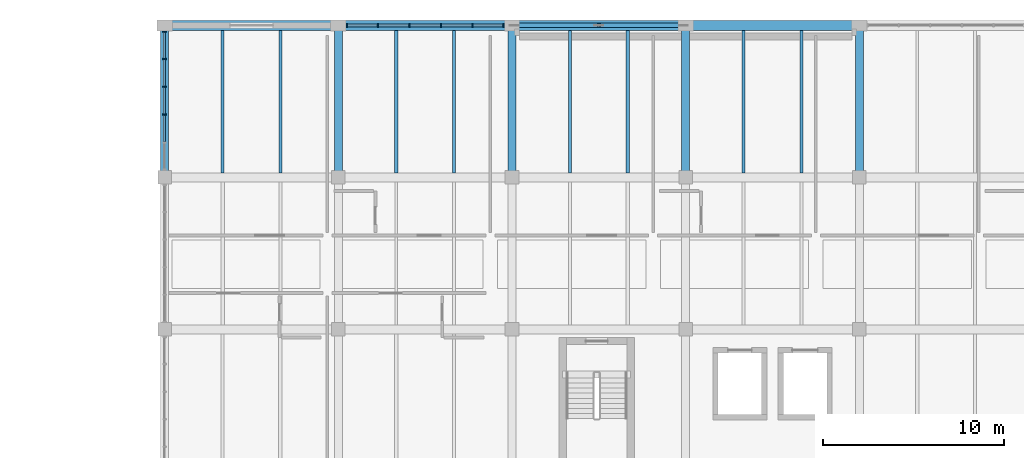
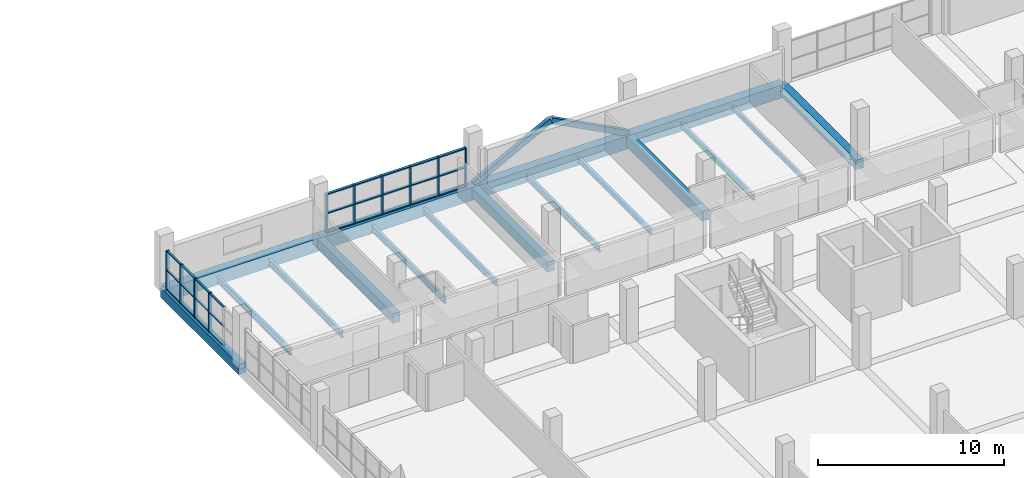
# One storey, part 88 of 147: 39 members, 17 beams, 2 elements without a shape of their own.
"""IFC4 building model written with IfcOpenShell, lengths in metres."""

from ifc_helpers import new_model, si_unit, direction, frame, origin, origin_2d, place, context, subcontext, project, spatial, rectangle, hollow_rectangle, i_section, extrude, material, material_profile, profile_set, type_object, element, aggregate, save


model = new_model("IFC4")

# Units and contexts
model_context = context("Model", 3, precision=1e-05, world=origin(), true_north=direction((0.0, 1.0)))
body_context = subcontext(model_context, "Body", "Model", "MODEL_VIEW")
ifc_project = project(units=[si_unit("LENGTHUNIT", "METRE"), si_unit("AREAUNIT", "SQUARE_METRE"), si_unit("VOLUMEUNIT", "CUBIC_METRE"), si_unit("PLANEANGLEUNIT", "RADIAN"), si_unit("MASSUNIT", "GRAM", prefix="KILO")], contexts=[model_context])

# Site, building, storey
site_placement = place(None, origin())
site = spatial("IfcSite", under=ifc_project, at=site_placement, CompositionType="ELEMENT")
building_placement = place(site_placement, origin())
building = spatial("IfcBuilding", under=site, at=building_placement, Name="Oolite Switchyard Hospital", CompositionType="ELEMENT")
storey_placement = place(building_placement, frame((0.0, 0.0, 9.89990234375)))
storey = spatial("IfcBuildingStorey", under=building, at=storey_placement, Name="L02", CompositionType="ELEMENT", Elevation=9.89990234375)

# Beams
ifc_material_1 = material(Name="Concrete C40/50", Category="concrete")
ifc_material_profile_1 = material_profile(ifc_material_1, rectangle(XDim=0.449951171875, YDim=0.64990234375, at=origin_2d()), Name="RCB450X650")
ifc_profile_set_1 = profile_set([ifc_material_profile_1], Name="Concrete C40/50")
beam_type_1 = type_object("IfcBeamType", Name="BM-RC450X650", PredefinedType="BEAM", material=ifc_profile_set_1)
for number, where, z_axis, x_axis, name in (
    (1, (134.39990234375, 126.0, -0.324951171875), (0.0, 1.0, 0.0), (-1.0, 0.0, 0.0), "L02 Y-Girder 1413"),
    (2, (144.0, 126.0, -0.324951171875), (0.0, 1.0, 0.0), (-1.0, 0.0, 0.0), "L02 Y-Girder 1428"),
    (3, (153.60009765625, 126.0, -0.324951171875), (0.0, 1.0, 0.0), (-1.0, 0.0, 0.0), "L02 Y-Girder 1441"),
    (4, (163.199951171875, 126.0, -0.324951171875), (0.0, 1.0, 0.0), (-1.0, 0.0, 0.0), "L02 Y-Girder 1453"),
    (5, (172.800048828125, 126.0, -0.324951171875), (0.0, 1.0, 0.0), (-1.0, 0.0, 0.0), "L02 Y-Girder 1464"),
):
    element("IfcBeam", number, at=place(storey_placement, frame(where, z_axis=z_axis, x_axis=x_axis)), inside=storey, type_object=beam_type_1, Name=name, PredefinedType="BEAM", context=body_context, shape_type="SweptSolid", body=[
        extrude(rectangle(XDim=0.449951171875, YDim=0.64990234375, at=origin_2d()), origin(), (0.0, 0.0, 1.0), 8.39990234375),
    ])
ifc_material_profile_2 = material_profile(ifc_material_1, rectangle(XDim=0.550048828125, YDim=0.85009765625, at=origin_2d()), Name="RCB550X850")
ifc_profile_set_2 = profile_set([ifc_material_profile_2], Name="Concrete C40/50")
beam_type_2 = type_object("IfcBeamType", Name="BM-RC550X850", PredefinedType="BEAM", material=ifc_profile_set_2)
for number, where, z_axis, x_axis, name in (
    (6, (134.39990234375, 134.39990234375, -0.4248046875), (1.0, 0.0, 0.0), (0.0, 1.0, 0.0), "L02 X-Girder 1242"),
    (7, (144.0, 134.39990234375, -0.4248046875), (1.0, 0.0, 0.0), (0.0, 1.0, 0.0), "L02 X-Girder 1243"),
):
    element("IfcBeam", number, at=place(storey_placement, frame(where, z_axis=z_axis, x_axis=x_axis)), inside=storey, type_object=beam_type_2, Name=name, PredefinedType="BEAM", context=body_context, shape_type="SweptSolid", body=[
        extrude(rectangle(XDim=0.550048828125, YDim=0.85009765625, at=origin_2d()), origin(), (0.0, 0.0, 1.0), 9.60009765625),
    ])
beam_1_placement = place(storey_placement, frame((153.60009765625, 134.39990234375, -0.4248046875), z_axis=(1.0, 0.0, 0.0), x_axis=(0.0, 1.0, 0.0)))
element("IfcBeam", 8, at=beam_1_placement, inside=storey, type_object=beam_type_2, Name="L02 X-Girder 1244", PredefinedType="BEAM", context=body_context, shape_type="SweptSolid", body=[
    extrude(rectangle(XDim=0.550048828125, YDim=0.85009765625, at=origin_2d()), origin(), (0.0, 0.0, 1.0), 9.599853515625),
])
beam_2_placement = place(storey_placement, frame((163.199951171875, 134.39990234375, -0.4248046875), z_axis=(1.0, 0.0, 0.0), x_axis=(0.0, 1.0, 0.0)))
element("IfcBeam", 9, at=beam_2_placement, inside=storey, type_object=beam_type_2, Name="L02 X-Girder 1245", PredefinedType="BEAM", context=body_context, shape_type="SweptSolid", body=[
    extrude(rectangle(XDim=0.550048828125, YDim=0.85009765625, at=origin_2d()), origin(), (0.0, 0.0, 1.0), 9.60009765625),
])
ifc_material_2 = material(Name="Steel ASTM A992 Grade 50", Category="steel")
ifc_material_profile_3 = material_profile(ifc_material_2, i_section(OverallWidth=0.1650390625, OverallDepth=0.31005859375, WebThickness=0.006103515625, FlangeThickness=0.010009765625, at=origin_2d()), Name="W12X26")
ifc_profile_set_3 = profile_set([ifc_material_profile_3], Name="Steel ASTM A992 Grade 50")
beam_type_3 = type_object("IfcBeamType", Name="BM-W12X26", PredefinedType="JOIST", material=ifc_profile_set_3)
beam_3_placement = place(storey_placement, frame((169.60009765625, 126.25, -0.414794921875), z_axis=(0.0, 1.0, 0.0), x_axis=(-1.0, 0.0, 0.0)))
element("IfcBeam", 10, at=beam_3_placement, inside=storey, type_object=beam_type_3, Name="L02 Secondary Steel Joist 1851", PredefinedType="JOIST", context=body_context, shape_type="SweptSolid", body=[
    extrude(i_section(OverallWidth=0.1650390625, OverallDepth=0.31005859375, WebThickness=0.006103515625, FlangeThickness=0.010009765625, at=origin_2d()), origin(), (0.0, 0.0, 1.0), 7.875),
])
ifc_material_profile_4 = material_profile(ifc_material_2, i_section(OverallWidth=0.1708984375, OverallDepth=0.35107421875, WebThickness=0.007080078125, FlangeThickness=0.010009765625, at=origin_2d()), Name="W14X30")
ifc_profile_set_4 = profile_set([ifc_material_profile_4], Name="Steel ASTM A992 Grade 50")
beam_type_4 = type_object("IfcBeamType", Name="BM-W14X30", PredefinedType="JOIST", material=ifc_profile_set_4)
for number, where, z_axis, x_axis, name in (
    (11, (160.0, 126.25, -0.434814453125), (0.0, 1.0, 0.0), (-1.0, 0.0, 0.0), "L02 Secondary Steel Joist 1831"),
    (12, (166.39990234375, 126.25, -0.434814453125), (0.0, 1.0, 0.0), (-1.0, 0.0, 0.0), "L02 Secondary Steel Joist 1850"),
):
    element("IfcBeam", number, at=place(storey_placement, frame(where, z_axis=z_axis, x_axis=x_axis)), inside=storey, type_object=beam_type_4, Name=name, PredefinedType="JOIST", context=body_context, shape_type="SweptSolid", body=[
        extrude(i_section(OverallWidth=0.1708984375, OverallDepth=0.35107421875, WebThickness=0.007080078125, FlangeThickness=0.010009765625, at=origin_2d()), origin(), (0.0, 0.0, 1.0), 7.875),
    ])
ifc_material_profile_5 = material_profile(ifc_material_2, i_section(OverallWidth=0.177978515625, OverallDepth=0.403076171875, WebThickness=0.008056640625, FlangeThickness=0.010986328125, at=origin_2d()), Name="W16X36")
ifc_profile_set_5 = profile_set([ifc_material_profile_5], Name="Steel ASTM A992 Grade 50")
beam_type_5 = type_object("IfcBeamType", Name="BM-W16X36", PredefinedType="JOIST", material=ifc_profile_set_5)
for number, where, z_axis, x_axis, name in (
    (13, (150.39990234375, 126.25, -0.4609375), (0.0, 1.0, 0.0), (-1.0, 0.0, 0.0), "L02 Secondary Steel Joist 1811"),
    (14, (156.800048828125, 126.25, -0.4609375), (0.0, 1.0, 0.0), (-1.0, 0.0, 0.0), "L02 Secondary Steel Joist 1830"),
):
    element("IfcBeam", number, at=place(storey_placement, frame(where, z_axis=z_axis, x_axis=x_axis)), inside=storey, type_object=beam_type_5, Name=name, PredefinedType="JOIST", context=body_context, shape_type="SweptSolid", body=[
        extrude(i_section(OverallWidth=0.177978515625, OverallDepth=0.403076171875, WebThickness=0.008056640625, FlangeThickness=0.010986328125, at=origin_2d()), origin(), (0.0, 0.0, 1.0), 7.875),
    ])
ifc_material_profile_6 = material_profile(ifc_material_2, i_section(OverallWidth=0.179931640625, OverallDepth=0.4130859375, WebThickness=0.010009765625, FlangeThickness=0.01611328125, at=origin_2d()), Name="W16X50")
ifc_profile_set_6 = profile_set([ifc_material_profile_6], Name="Steel ASTM A992 Grade 50")
beam_type_6 = type_object("IfcBeamType", Name="BM-W16X50", PredefinedType="JOIST", material=ifc_profile_set_6)
for number, where, z_axis, x_axis, name in (
    (15, (140.800048828125, 126.25, -0.4658203125), (0.0, 1.0, 0.0), (-1.0, 0.0, 0.0), "L02 Secondary Steel Joist 1791"),
    (16, (147.199951171875, 126.25, -0.4658203125), (0.0, 1.0, 0.0), (-1.0, 0.0, 0.0), "L02 Secondary Steel Joist 1810"),
):
    element("IfcBeam", number, at=place(storey_placement, frame(where, z_axis=z_axis, x_axis=x_axis)), inside=storey, type_object=beam_type_6, Name=name, PredefinedType="JOIST", context=body_context, shape_type="SweptSolid", body=[
        extrude(i_section(OverallWidth=0.179931640625, OverallDepth=0.4130859375, WebThickness=0.010009765625, FlangeThickness=0.01611328125, at=origin_2d()), origin(), (0.0, 0.0, 1.0), 7.875),
    ])
ifc_material_profile_7 = material_profile(ifc_material_2, i_section(OverallWidth=0.153076171875, OverallDepth=0.455078125, WebThickness=0.008056640625, FlangeThickness=0.012939453125, at=origin_2d()), Name="W18X40")
ifc_profile_set_7 = profile_set([ifc_material_profile_7], Name="Steel ASTM A992 Grade 50")
beam_type_7 = type_object("IfcBeamType", Name="BM-W18X40", PredefinedType="JOIST", material=ifc_profile_set_7)
beam_4_placement = place(storey_placement, frame((137.60009765625, 126.25, -0.48681640625), z_axis=(0.0, 1.0, 0.0), x_axis=(-1.0, 0.0, 0.0)))
element("IfcBeam", 17, at=beam_4_placement, inside=storey, type_object=beam_type_7, Name="L02 Secondary Steel Joist 1790", PredefinedType="JOIST", context=body_context, shape_type="SweptSolid", body=[
    extrude(i_section(OverallWidth=0.153076171875, OverallDepth=0.455078125, WebThickness=0.008056640625, FlangeThickness=0.012939453125, at=origin_2d()), origin(), (0.0, 0.0, 1.0), 7.875),
])

# Curtain wall, members
ifc_material_3 = material(Name="Thermally broken aluminum frame with laminated impact glazing", Category="aluminium")
curtain_wall_type_1 = type_object("IfcCurtainWallType", Name="CW-UNIT-96X36", PredefinedType="USERDEFINED", material=ifc_material_3)
curtain_wall_1_placement = place(storey_placement, origin())
curtain_wall_1 = element("IfcCurtainWall", 18, at=curtain_wall_1_placement, inside=storey, type_object=curtain_wall_type_1, Name="L02 Unitised Curtain Wall 273", ObjectType="UNITISED", PredefinedType="USERDEFINED")
ifc_material_4 = material(Name="Aluminium 6063-T6", Category="aluminium")
ifc_material_profile_8 = material_profile(ifc_material_4, rectangle(XDim=0.199951171875, YDim=0.074951171875, at=origin_2d()), Name="CWM75X200")
ifc_profile_set_8 = profile_set([ifc_material_profile_8], Name="Aluminium 6063-T6")
member_type_1 = type_object("IfcMemberType", Name="CW-MUL-260", PredefinedType="MULLION", material=ifc_profile_set_8)
member_1_placement = place(storey_placement, frame((144.4775390625, 134.39990234375, 0.0), z_axis=(0.0, 0.0, 1.0), x_axis=(0.0, 1.0, 0.0)))
member_1 = element("IfcMember", 19, at=member_1_placement, type_object=member_type_1, Name="CW-03 mullion 1", PredefinedType="MULLION", context=body_context, shape_type="SweptSolid", body=[
    extrude(rectangle(XDim=0.199951171875, YDim=0.074951171875, at=origin_2d()), origin(), (0.0, 0.0, 1.0), 2.570068359375),
])
member_2_placement = place(storey_placement, frame((146.18408203125, 134.39990234375, 0.0), z_axis=(0.0, 0.0, 1.0), x_axis=(0.0, 1.0, 0.0)))
member_2 = element("IfcMember", 20, at=member_2_placement, type_object=member_type_1, Name="CW-03 mullion 2", PredefinedType="MULLION", context=body_context, shape_type="SweptSolid", body=[
    extrude(rectangle(XDim=0.199951171875, YDim=0.074951171875, at=origin_2d()), origin(), (0.0, 0.0, 1.0), 2.570068359375),
])
member_3_placement = place(storey_placement, frame((147.927978515625, 134.39990234375, 0.0), z_axis=(0.0, 0.0, 1.0), x_axis=(0.0, 1.0, 0.0)))
member_3 = element("IfcMember", 21, at=member_3_placement, type_object=member_type_1, Name="CW-03 mullion 3", PredefinedType="MULLION", context=body_context, shape_type="SweptSolid", body=[
    extrude(rectangle(XDim=0.199951171875, YDim=0.074951171875, at=origin_2d()), origin(), (0.0, 0.0, 1.0), 2.570068359375),
])
member_4_placement = place(storey_placement, frame((149.672119140625, 134.39990234375, 0.0), z_axis=(0.0, 0.0, 1.0), x_axis=(0.0, 1.0, 0.0)))
member_4 = element("IfcMember", 22, at=member_4_placement, type_object=member_type_1, Name="CW-03 mullion 4", PredefinedType="MULLION", context=body_context, shape_type="SweptSolid", body=[
    extrude(rectangle(XDim=0.199951171875, YDim=0.074951171875, at=origin_2d()), origin(), (0.0, 0.0, 1.0), 2.570068359375),
])
member_5_placement = place(storey_placement, frame((151.416015625, 134.39990234375, 0.0), z_axis=(0.0, 0.0, 1.0), x_axis=(0.0, 1.0, 0.0)))
member_5 = element("IfcMember", 23, at=member_5_placement, type_object=member_type_1, Name="CW-03 mullion 5", PredefinedType="MULLION", context=body_context, shape_type="SweptSolid", body=[
    extrude(rectangle(XDim=0.199951171875, YDim=0.074951171875, at=origin_2d()), origin(), (0.0, 0.0, 1.0), 2.570068359375),
])
member_6_placement = place(storey_placement, frame((153.12255859375, 134.39990234375, 0.0), z_axis=(0.0, 0.0, 1.0), x_axis=(0.0, 1.0, 0.0)))
member_6 = element("IfcMember", 24, at=member_6_placement, type_object=member_type_1, Name="CW-03 mullion 6", PredefinedType="MULLION", context=body_context, shape_type="SweptSolid", body=[
    extrude(rectangle(XDim=0.199951171875, YDim=0.074951171875, at=origin_2d()), origin(), (0.0, 0.0, 1.0), 2.570068359375),
])

curtain_wall_type_2 = type_object("IfcCurtainWallType", Name="CW-UNIT-84X36", PredefinedType="USERDEFINED", material=ifc_material_3)
curtain_wall_2_placement = place(storey_placement, origin())
curtain_wall_2 = element("IfcCurtainWall", 25, at=curtain_wall_2_placement, inside=storey, type_object=curtain_wall_type_2, Name="L02 Unitised Curtain Wall 300", ObjectType="UNITISED", PredefinedType="USERDEFINED")
member_7_placement = place(storey_placement, frame((134.39990234375, 129.468017578125, 0.0), z_axis=(0.0, 0.0, 1.0), x_axis=(-1.0, 0.0, 0.0)))
member_7 = element("IfcMember", 26, at=member_7_placement, type_object=member_type_1, Name="CW-08 mullion 3", PredefinedType="MULLION", context=body_context, shape_type="SweptSolid", body=[
    extrude(rectangle(XDim=0.199951171875, YDim=0.074951171875, at=origin_2d()), origin(), (0.0, 0.0, 1.0), 2.570068359375),
])
member_8_placement = place(storey_placement, frame((134.39990234375, 131.007080078125, 0.0), z_axis=(0.0, 0.0, 1.0), x_axis=(-1.0, 0.0, 0.0)))
member_8 = element("IfcMember", 27, at=member_8_placement, type_object=member_type_1, Name="CW-08 mullion 4", PredefinedType="MULLION", context=body_context, shape_type="SweptSolid", body=[
    extrude(rectangle(XDim=0.199951171875, YDim=0.074951171875, at=origin_2d()), origin(), (0.0, 0.0, 1.0), 2.570068359375),
])
member_9_placement = place(storey_placement, frame((134.39990234375, 132.5458984375, 0.0), z_axis=(0.0, 0.0, 1.0), x_axis=(-1.0, 0.0, 0.0)))
member_9 = element("IfcMember", 28, at=member_9_placement, type_object=member_type_1, Name="CW-08 mullion 5", PredefinedType="MULLION", context=body_context, shape_type="SweptSolid", body=[
    extrude(rectangle(XDim=0.199951171875, YDim=0.074951171875, at=origin_2d()), origin(), (0.0, 0.0, 1.0), 2.570068359375),
])
member_10_placement = place(storey_placement, frame((134.39990234375, 134.047607421875, 0.0), z_axis=(0.0, 0.0, 1.0), x_axis=(-1.0, 0.0, 0.0)))
member_10 = element("IfcMember", 29, at=member_10_placement, type_object=member_type_1, Name="CW-08 mullion 6", PredefinedType="MULLION", context=body_context, shape_type="SweptSolid", body=[
    extrude(rectangle(XDim=0.199951171875, YDim=0.074951171875, at=origin_2d()), origin(), (0.0, 0.0, 1.0), 2.570068359375),
])
ifc_material_profile_9 = material_profile(ifc_material_4, rectangle(XDim=0.1201171875, YDim=0.06005859375, at=origin_2d()), Name="CWT60X120")
ifc_profile_set_9 = profile_set([ifc_material_profile_9], Name="Aluminium 6063-T6")
member_type_2 = type_object("IfcMemberType", Name="CW-TRN-150", PredefinedType="USERDEFINED", material=ifc_profile_set_9)
member_11_placement = place(storey_placement, frame((134.39990234375, 127.966552734375, 0.030029296875), z_axis=(0.0, 1.0, 0.0), x_axis=(-1.0, 0.0, 0.0)))
member_11 = element("IfcMember", 30, at=member_11_placement, type_object=member_type_2, Name="CW-08 transom 2.1", ObjectType="TRANSOM", PredefinedType="USERDEFINED", context=body_context, shape_type="SweptSolid", body=[
    extrude(rectangle(XDim=0.1201171875, YDim=0.06005859375, at=origin_2d()), origin(), (0.0, 0.0, 1.0), 1.4638671875),
])
member_12_placement = place(storey_placement, frame((134.39990234375, 127.966552734375, 1.28515625), z_axis=(0.0, 1.0, 0.0), x_axis=(-1.0, 0.0, 0.0)))
member_12 = element("IfcMember", 31, at=member_12_placement, type_object=member_type_2, Name="CW-08 transom 2.2", ObjectType="TRANSOM", PredefinedType="USERDEFINED", context=body_context, shape_type="SweptSolid", body=[
    extrude(rectangle(XDim=0.1201171875, YDim=0.06005859375, at=origin_2d()), origin(), (0.0, 0.0, 1.0), 1.4638671875),
])
member_13_placement = place(storey_placement, frame((134.39990234375, 127.966552734375, 2.5400390625), z_axis=(0.0, 1.0, 0.0), x_axis=(-1.0, 0.0, 0.0)))
member_13 = element("IfcMember", 32, at=member_13_placement, type_object=member_type_2, Name="CW-08 transom 2.3", ObjectType="TRANSOM", PredefinedType="USERDEFINED", context=body_context, shape_type="SweptSolid", body=[
    extrude(rectangle(XDim=0.1201171875, YDim=0.06005859375, at=origin_2d()), origin(), (0.0, 0.0, 1.0), 1.4638671875),
])
member_14_placement = place(storey_placement, frame((134.39990234375, 129.505615234375, 0.030029296875), z_axis=(0.0, 1.0, 0.0), x_axis=(-1.0, 0.0, 0.0)))
member_14 = element("IfcMember", 33, at=member_14_placement, type_object=member_type_2, Name="CW-08 transom 3.1", ObjectType="TRANSOM", PredefinedType="USERDEFINED", context=body_context, shape_type="SweptSolid", body=[
    extrude(rectangle(XDim=0.1201171875, YDim=0.06005859375, at=origin_2d()), origin(), (0.0, 0.0, 1.0), 1.4638671875),
])
member_15_placement = place(storey_placement, frame((134.39990234375, 129.505615234375, 1.28515625), z_axis=(0.0, 1.0, 0.0), x_axis=(-1.0, 0.0, 0.0)))
member_15 = element("IfcMember", 34, at=member_15_placement, type_object=member_type_2, Name="CW-08 transom 3.2", ObjectType="TRANSOM", PredefinedType="USERDEFINED", context=body_context, shape_type="SweptSolid", body=[
    extrude(rectangle(XDim=0.1201171875, YDim=0.06005859375, at=origin_2d()), origin(), (0.0, 0.0, 1.0), 1.4638671875),
])
member_16_placement = place(storey_placement, frame((134.39990234375, 129.505615234375, 2.5400390625), z_axis=(0.0, 1.0, 0.0), x_axis=(-1.0, 0.0, 0.0)))
member_16 = element("IfcMember", 35, at=member_16_placement, type_object=member_type_2, Name="CW-08 transom 3.3", ObjectType="TRANSOM", PredefinedType="USERDEFINED", context=body_context, shape_type="SweptSolid", body=[
    extrude(rectangle(XDim=0.1201171875, YDim=0.06005859375, at=origin_2d()), origin(), (0.0, 0.0, 1.0), 1.4638671875),
])
member_17_placement = place(storey_placement, frame((134.39990234375, 131.04443359375, 0.030029296875), z_axis=(0.0, 1.0, 0.0), x_axis=(-1.0, 0.0, 0.0)))
member_17 = element("IfcMember", 36, at=member_17_placement, type_object=member_type_2, Name="CW-08 transom 4.1", ObjectType="TRANSOM", PredefinedType="USERDEFINED", context=body_context, shape_type="SweptSolid", body=[
    extrude(rectangle(XDim=0.1201171875, YDim=0.06005859375, at=origin_2d()), origin(), (0.0, 0.0, 1.0), 1.464111328125),
])
member_18_placement = place(storey_placement, frame((134.39990234375, 131.04443359375, 1.28515625), z_axis=(0.0, 1.0, 0.0), x_axis=(-1.0, 0.0, 0.0)))
member_18 = element("IfcMember", 37, at=member_18_placement, type_object=member_type_2, Name="CW-08 transom 4.2", ObjectType="TRANSOM", PredefinedType="USERDEFINED", context=body_context, shape_type="SweptSolid", body=[
    extrude(rectangle(XDim=0.1201171875, YDim=0.06005859375, at=origin_2d()), origin(), (0.0, 0.0, 1.0), 1.464111328125),
])
member_19_placement = place(storey_placement, frame((134.39990234375, 131.04443359375, 2.5400390625), z_axis=(0.0, 1.0, 0.0), x_axis=(-1.0, 0.0, 0.0)))
member_19 = element("IfcMember", 38, at=member_19_placement, type_object=member_type_2, Name="CW-08 transom 4.3", ObjectType="TRANSOM", PredefinedType="USERDEFINED", context=body_context, shape_type="SweptSolid", body=[
    extrude(rectangle(XDim=0.1201171875, YDim=0.06005859375, at=origin_2d()), origin(), (0.0, 0.0, 1.0), 1.464111328125),
])
member_20_placement = place(storey_placement, frame((134.39990234375, 132.58349609375, 0.030029296875), z_axis=(0.0, 1.0, 0.0), x_axis=(-1.0, 0.0, 0.0)))
member_20 = element("IfcMember", 39, at=member_20_placement, type_object=member_type_2, Name="CW-08 transom 5.1", ObjectType="TRANSOM", PredefinedType="USERDEFINED", context=body_context, shape_type="SweptSolid", body=[
    extrude(rectangle(XDim=0.1201171875, YDim=0.06005859375, at=origin_2d()), origin(), (0.0, 0.0, 1.0), 1.426513671875),
])
member_21_placement = place(storey_placement, frame((134.39990234375, 132.58349609375, 1.28515625), z_axis=(0.0, 1.0, 0.0), x_axis=(-1.0, 0.0, 0.0)))
member_21 = element("IfcMember", 40, at=member_21_placement, type_object=member_type_2, Name="CW-08 transom 5.2", ObjectType="TRANSOM", PredefinedType="USERDEFINED", context=body_context, shape_type="SweptSolid", body=[
    extrude(rectangle(XDim=0.1201171875, YDim=0.06005859375, at=origin_2d()), origin(), (0.0, 0.0, 1.0), 1.426513671875),
])
member_22_placement = place(storey_placement, frame((134.39990234375, 132.58349609375, 2.5400390625), z_axis=(0.0, 1.0, 0.0), x_axis=(-1.0, 0.0, 0.0)))
member_22 = element("IfcMember", 41, at=member_22_placement, type_object=member_type_2, Name="CW-08 transom 5.3", ObjectType="TRANSOM", PredefinedType="USERDEFINED", context=body_context, shape_type="SweptSolid", body=[
    extrude(rectangle(XDim=0.1201171875, YDim=0.06005859375, at=origin_2d()), origin(), (0.0, 0.0, 1.0), 1.426513671875),
])
aggregate(curtain_wall_2, [member_7, member_8, member_9, member_10, member_11, member_12, member_13, member_14, member_15, member_16, member_17, member_18, member_19, member_20, member_21, member_22])

# Member
ifc_material_profile_10 = material_profile(ifc_material_4, rectangle(XDim=0.159912109375, YDim=0.074951171875, at=origin_2d()), Name="CWT75X160")
ifc_profile_set_10 = profile_set([ifc_material_profile_10], Name="Aluminium 6063-T6")
member_type_3 = type_object("IfcMemberType", Name="CW-TRN-180", PredefinedType="USERDEFINED", material=ifc_profile_set_10)
member_23_placement = place(storey_placement, frame((144.514892578125, 134.39990234375, 0.03759765625), z_axis=(1.0, 0.0, 0.0), x_axis=(0.0, 1.0, 0.0)))
member_23 = element("IfcMember", 42, at=member_23_placement, type_object=member_type_3, Name="CW-03 transom 1.1", ObjectType="TRANSOM", PredefinedType="USERDEFINED", context=body_context, shape_type="SweptSolid", body=[
    extrude(rectangle(XDim=0.159912109375, YDim=0.074951171875, at=origin_2d()), origin(), (0.0, 0.0, 1.0), 1.631591796875),
])

member_24_placement = place(storey_placement, frame((144.514892578125, 134.39990234375, 1.28515625), z_axis=(1.0, 0.0, 0.0), x_axis=(0.0, 1.0, 0.0)))
member_24 = element("IfcMember", 43, at=member_24_placement, type_object=member_type_3, Name="CW-03 transom 1.2", ObjectType="TRANSOM", PredefinedType="USERDEFINED", context=body_context, shape_type="SweptSolid", body=[
    extrude(rectangle(XDim=0.159912109375, YDim=0.074951171875, at=origin_2d()), origin(), (0.0, 0.0, 1.0), 1.631591796875),
])

member_25_placement = place(storey_placement, frame((144.514892578125, 134.39990234375, 2.53271484375), z_axis=(1.0, 0.0, 0.0), x_axis=(0.0, 1.0, 0.0)))
member_25 = element("IfcMember", 44, at=member_25_placement, type_object=member_type_3, Name="CW-03 transom 1.3", ObjectType="TRANSOM", PredefinedType="USERDEFINED", context=body_context, shape_type="SweptSolid", body=[
    extrude(rectangle(XDim=0.159912109375, YDim=0.074951171875, at=origin_2d()), origin(), (0.0, 0.0, 1.0), 1.631591796875),
])

member_26_placement = place(storey_placement, frame((146.221435546875, 134.39990234375, 0.03759765625), z_axis=(1.0, 0.0, 0.0), x_axis=(0.0, 1.0, 0.0)))
member_26 = element("IfcMember", 45, at=member_26_placement, type_object=member_type_3, Name="CW-03 transom 2.1", ObjectType="TRANSOM", PredefinedType="USERDEFINED", context=body_context, shape_type="SweptSolid", body=[
    extrude(rectangle(XDim=0.159912109375, YDim=0.074951171875, at=origin_2d()), origin(), (0.0, 0.0, 1.0), 1.6689453125),
])

member_27_placement = place(storey_placement, frame((146.221435546875, 134.39990234375, 1.28515625), z_axis=(1.0, 0.0, 0.0), x_axis=(0.0, 1.0, 0.0)))
member_27 = element("IfcMember", 46, at=member_27_placement, type_object=member_type_3, Name="CW-03 transom 2.2", ObjectType="TRANSOM", PredefinedType="USERDEFINED", context=body_context, shape_type="SweptSolid", body=[
    extrude(rectangle(XDim=0.159912109375, YDim=0.074951171875, at=origin_2d()), origin(), (0.0, 0.0, 1.0), 1.6689453125),
])

member_28_placement = place(storey_placement, frame((146.221435546875, 134.39990234375, 2.53271484375), z_axis=(1.0, 0.0, 0.0), x_axis=(0.0, 1.0, 0.0)))
member_28 = element("IfcMember", 47, at=member_28_placement, type_object=member_type_3, Name="CW-03 transom 2.3", ObjectType="TRANSOM", PredefinedType="USERDEFINED", context=body_context, shape_type="SweptSolid", body=[
    extrude(rectangle(XDim=0.159912109375, YDim=0.074951171875, at=origin_2d()), origin(), (0.0, 0.0, 1.0), 1.6689453125),
])

member_29_placement = place(storey_placement, frame((147.965576171875, 134.39990234375, 0.03759765625), z_axis=(1.0, 0.0, 0.0), x_axis=(0.0, 1.0, 0.0)))
member_29 = element("IfcMember", 48, at=member_29_placement, type_object=member_type_3, Name="CW-03 transom 3.1", ObjectType="TRANSOM", PredefinedType="USERDEFINED", context=body_context, shape_type="SweptSolid", body=[
    extrude(rectangle(XDim=0.159912109375, YDim=0.074951171875, at=origin_2d()), origin(), (0.0, 0.0, 1.0), 1.6689453125),
])

member_30_placement = place(storey_placement, frame((147.965576171875, 134.39990234375, 1.28515625), z_axis=(1.0, 0.0, 0.0), x_axis=(0.0, 1.0, 0.0)))
member_30 = element("IfcMember", 49, at=member_30_placement, type_object=member_type_3, Name="CW-03 transom 3.2", ObjectType="TRANSOM", PredefinedType="USERDEFINED", context=body_context, shape_type="SweptSolid", body=[
    extrude(rectangle(XDim=0.159912109375, YDim=0.074951171875, at=origin_2d()), origin(), (0.0, 0.0, 1.0), 1.6689453125),
])

member_31_placement = place(storey_placement, frame((147.965576171875, 134.39990234375, 2.53271484375), z_axis=(1.0, 0.0, 0.0), x_axis=(0.0, 1.0, 0.0)))
member_31 = element("IfcMember", 50, at=member_31_placement, type_object=member_type_3, Name="CW-03 transom 3.3", ObjectType="TRANSOM", PredefinedType="USERDEFINED", context=body_context, shape_type="SweptSolid", body=[
    extrude(rectangle(XDim=0.159912109375, YDim=0.074951171875, at=origin_2d()), origin(), (0.0, 0.0, 1.0), 1.6689453125),
])

member_32_placement = place(storey_placement, frame((149.70947265625, 134.39990234375, 0.03759765625), z_axis=(1.0, 0.0, 0.0), x_axis=(0.0, 1.0, 0.0)))
member_32 = element("IfcMember", 51, at=member_32_placement, type_object=member_type_3, Name="CW-03 transom 4.1", ObjectType="TRANSOM", PredefinedType="USERDEFINED", context=body_context, shape_type="SweptSolid", body=[
    extrude(rectangle(XDim=0.159912109375, YDim=0.074951171875, at=origin_2d()), origin(), (0.0, 0.0, 1.0), 1.6689453125),
])

member_33_placement = place(storey_placement, frame((149.70947265625, 134.39990234375, 1.28515625), z_axis=(1.0, 0.0, 0.0), x_axis=(0.0, 1.0, 0.0)))
member_33 = element("IfcMember", 52, at=member_33_placement, type_object=member_type_3, Name="CW-03 transom 4.2", ObjectType="TRANSOM", PredefinedType="USERDEFINED", context=body_context, shape_type="SweptSolid", body=[
    extrude(rectangle(XDim=0.159912109375, YDim=0.074951171875, at=origin_2d()), origin(), (0.0, 0.0, 1.0), 1.6689453125),
])

member_34_placement = place(storey_placement, frame((149.70947265625, 134.39990234375, 2.53271484375), z_axis=(1.0, 0.0, 0.0), x_axis=(0.0, 1.0, 0.0)))
member_34 = element("IfcMember", 53, at=member_34_placement, type_object=member_type_3, Name="CW-03 transom 4.3", ObjectType="TRANSOM", PredefinedType="USERDEFINED", context=body_context, shape_type="SweptSolid", body=[
    extrude(rectangle(XDim=0.159912109375, YDim=0.074951171875, at=origin_2d()), origin(), (0.0, 0.0, 1.0), 1.6689453125),
])

member_35_placement = place(storey_placement, frame((151.45361328125, 134.39990234375, 0.03759765625), z_axis=(1.0, 0.0, 0.0), x_axis=(0.0, 1.0, 0.0)))
member_35 = element("IfcMember", 54, at=member_35_placement, type_object=member_type_3, Name="CW-03 transom 5.1", ObjectType="TRANSOM", PredefinedType="USERDEFINED", context=body_context, shape_type="SweptSolid", body=[
    extrude(rectangle(XDim=0.159912109375, YDim=0.074951171875, at=origin_2d()), origin(), (0.0, 0.0, 1.0), 1.63134765625),
])

member_36_placement = place(storey_placement, frame((151.45361328125, 134.39990234375, 1.28515625), z_axis=(1.0, 0.0, 0.0), x_axis=(0.0, 1.0, 0.0)))
member_36 = element("IfcMember", 55, at=member_36_placement, type_object=member_type_3, Name="CW-03 transom 5.2", ObjectType="TRANSOM", PredefinedType="USERDEFINED", context=body_context, shape_type="SweptSolid", body=[
    extrude(rectangle(XDim=0.159912109375, YDim=0.074951171875, at=origin_2d()), origin(), (0.0, 0.0, 1.0), 1.63134765625),
])

member_37_placement = place(storey_placement, frame((151.45361328125, 134.39990234375, 2.53271484375), z_axis=(1.0, 0.0, 0.0), x_axis=(0.0, 1.0, 0.0)))
member_37 = element("IfcMember", 56, at=member_37_placement, type_object=member_type_3, Name="CW-03 transom 5.3", ObjectType="TRANSOM", PredefinedType="USERDEFINED", context=body_context, shape_type="SweptSolid", body=[
    extrude(rectangle(XDim=0.159912109375, YDim=0.074951171875, at=origin_2d()), origin(), (0.0, 0.0, 1.0), 1.63134765625),
])

aggregate(curtain_wall_1, [member_1, member_2, member_3, member_4, member_5, member_6, member_23, member_24, member_25, member_26, member_27, member_28, member_29, member_30, member_31, member_32, member_33, member_34, member_35, member_36, member_37])

# Members
ifc_material_5 = material(Name="Steel ASTM A500 Grade C", Category="steel")
ifc_material_profile_11 = material_profile(ifc_material_5, hollow_rectangle(XDim=0.25390625, YDim=0.35595703125, WallThickness=0.012939453125, at=origin_2d()), Name="HSS356X254X13")
ifc_profile_set_11 = profile_set([ifc_material_profile_11], Name="Steel ASTM A500 Grade C")
member_type_4 = type_object("IfcMemberType", Name="MEM-BR-RHS356", PredefinedType="BRACE", material=ifc_profile_set_11)
member_38_placement = place(storey_placement, frame((153.60009765625, 134.39990234375, 0.02001953125), z_axis=(0.885388635287, 0.0, 0.46485155104), x_axis=(0.0, 1.0, 0.0)))
element("IfcMember", 57, at=member_38_placement, inside=storey, type_object=member_type_4, Name="L02 Chevron Brace 33", PredefinedType="BRACE", context=body_context, shape_type="SweptSolid", body=[
    extrude(hollow_rectangle(XDim=0.25390625, YDim=0.35595703125, WallThickness=0.012939453125, at=origin_2d()), origin(), (0.0, 0.0, 1.0), 5.421142578125),
])
member_39_placement = place(storey_placement, frame((163.199951171875, 134.39990234375, 0.02001953125), z_axis=(-0.885398366188, 0.0, 0.464833016418), x_axis=(0.0, -1.0, 0.0)))
element("IfcMember", 58, at=member_39_placement, inside=storey, type_object=member_type_4, Name="L02 Chevron Brace 34", PredefinedType="BRACE", context=body_context, shape_type="SweptSolid", body=[
    extrude(hollow_rectangle(XDim=0.25390625, YDim=0.35595703125, WallThickness=0.012939453125, at=origin_2d()), origin(), (0.0, 0.0, 1.0), 5.42138671875),
])

save(model, "model.ifc")
